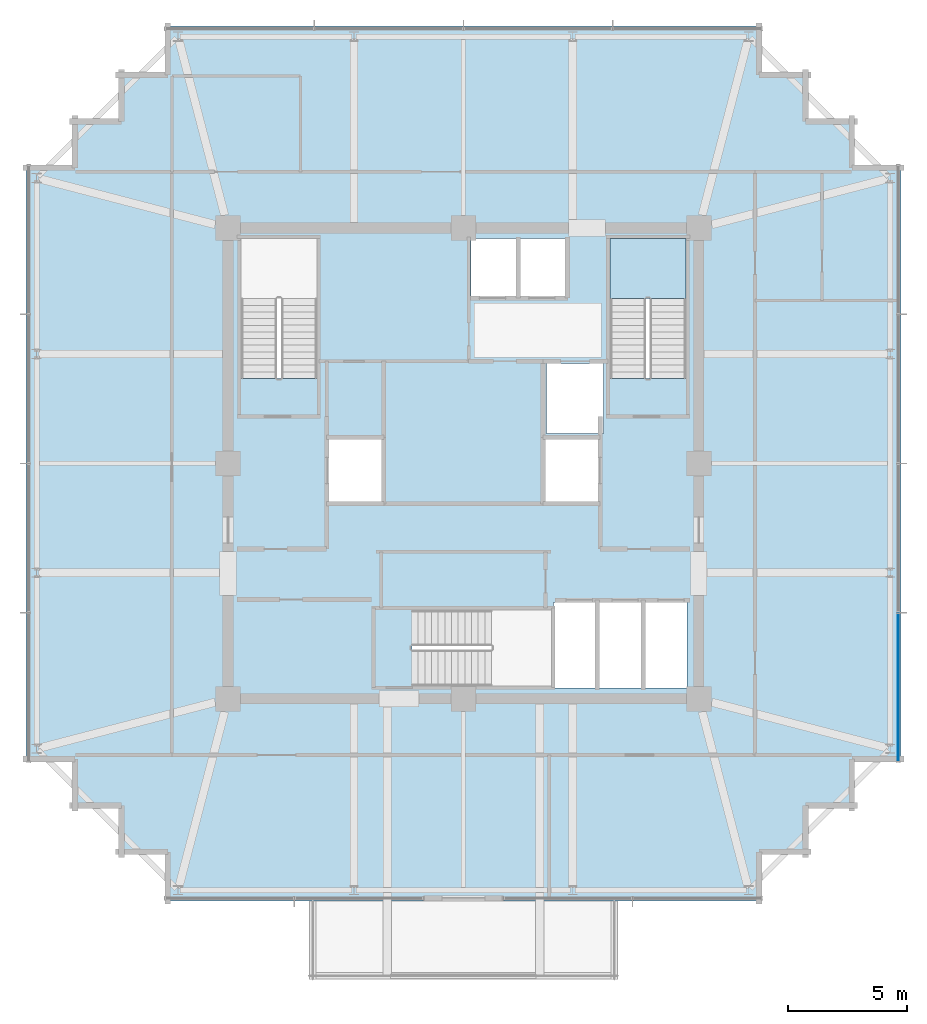
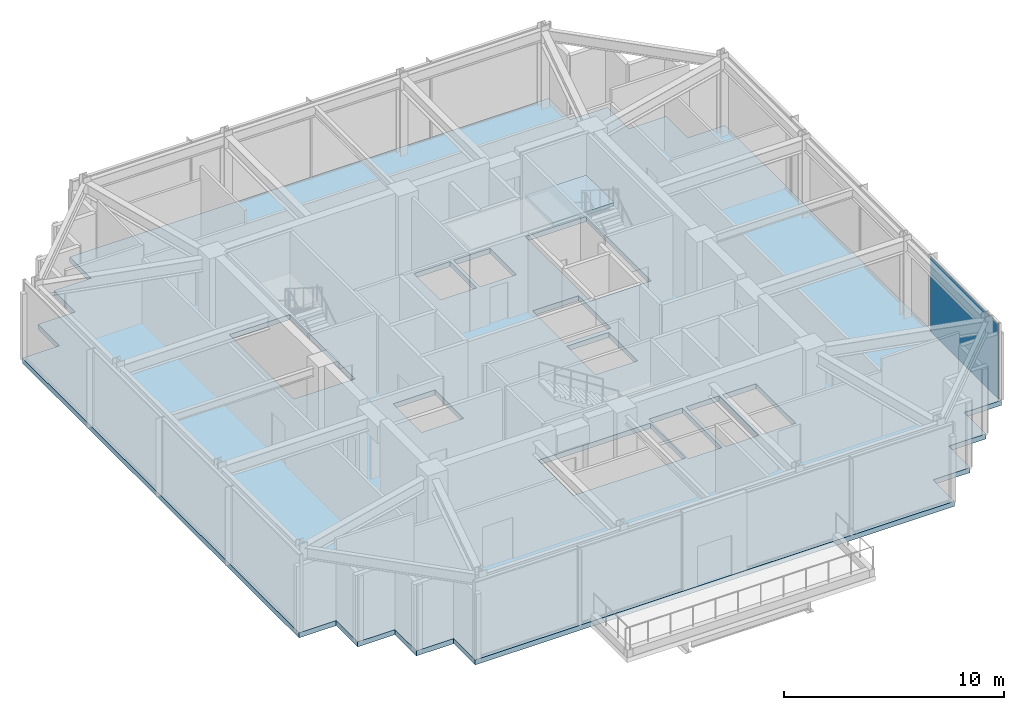
# One storey, part 24 of 30: 2 slabs, 1 plate, 2 elements without a shape of their own.
"""IFC4 building model written with IfcOpenShell, lengths in metres."""

from ifc_helpers import new_model, si_unit, direction, frame, origin, origin_2d, place, context, subcontext, project, spatial, polyline, rectangle, outline, extrude, material, layer, layer_set, type_object, element, aggregate, save


model = new_model("IFC4")

# Units and contexts
model_context = context("Model", 3, precision=1e-05, world=origin(), true_north=direction((0.0, 1.0)))
body_context = subcontext(model_context, "Body", "Model", "MODEL_VIEW")
ifc_project = project(units=[si_unit("LENGTHUNIT", "METRE"), si_unit("AREAUNIT", "SQUARE_METRE"), si_unit("VOLUMEUNIT", "CUBIC_METRE"), si_unit("PLANEANGLEUNIT", "RADIAN"), si_unit("MASSUNIT", "GRAM", prefix="KILO")], contexts=[model_context])

# Site, building, storey
site_placement = place(None, origin())
site = spatial("IfcSite", under=ifc_project, at=site_placement, CompositionType="ELEMENT")
building_placement = place(site_placement, origin())
building = spatial("IfcBuilding", under=site, at=building_placement, Name="Kolvaren Belvedere", CompositionType="ELEMENT")
storey_placement = place(building_placement, frame((0.0, 0.0, 262.800048828125)))
storey = spatial("IfcBuildingStorey", under=building, at=storey_placement, Name="L76", CompositionType="ELEMENT", Elevation=262.800048828125)

# Curtain wall, plate
ifc_material_1 = material(Name="Anodised pale-metal aluminium AA 6063-T6", Category="aluminium")
curtain_wall_type = type_object("IfcCurtainWallType", Name="CW-CRN-OBS", PredefinedType="NOTDEFINED", material=ifc_material_1)
curtain_wall_placement = place(storey_placement, origin())
curtain_wall = element("IfcCurtainWall", 1, at=curtain_wall_placement, inside=storey, type_object=curtain_wall_type, Name="L76 Unitised Curtain Wall FCW-L76-E", PredefinedType="NOTDEFINED")
ifc_material_2 = material(Name="Low-iron laminated vision glass", Category="glass")
ifc_layer_1 = layer(ifc_material_2, 0.031982421875)
ifc_layer_set_1 = layer_set([ifc_layer_1], Name="Low-iron laminated vision glass")
plate_type = type_object("IfcPlateType", Name="CW-PNL-VIS32", PredefinedType="CURTAIN_PANEL", material=ifc_layer_set_1)
plate_placement = place(storey_placement, frame((18.280029296875, -9.41259765625, 0.080078125), z_axis=(0.0, 0.0, 1.0), x_axis=(0.0, -1.0, 0.0)))
plate = element("IfcPlate", 2, at=plate_placement, type_object=plate_type, Name="FCW-L76-E Vision Glazing Panel 4", PredefinedType="CURTAIN_PANEL", context=body_context, shape_type="SweptSolid", body=[
    extrude(rectangle(XDim=6.195068359375, YDim=0.031982421875, at=origin_2d()), origin(), (0.0, 0.0, 1.0), 4.159912109375),
])
aggregate(curtain_wall, [plate])

# Slab
ifc_material_3 = material(Name="Concrete C50/60", Category="concrete")
ifc_layer_2 = layer(ifc_material_3, 0.280029296875)
ifc_layer_set_2 = layer_set([ifc_layer_2], Name="Concrete C50/60")
slab_type_1 = type_object("IfcSlabType", Name="SL-FLR-280", PredefinedType="FLOOR", material=ifc_layer_set_2)
slab_1_placement = place(storey_placement, frame((0.0, 0.0, -0.280029296875)))
element("IfcSlab", 3, at=slab_1_placement, inside=storey, type_object=slab_type_1, Name="L76 Primary Structural Slab", PredefinedType="FLOOR", context=body_context, shape_type="SweptSolid", body=[
    extrude(outline(polyline([(-12.550048828125, -18.39990234375), (12.550048828125, -18.39990234375), (12.550048828125, -16.449951171875), (14.5, -16.449951171875), (14.5, -14.5), (16.449951171875, -14.5), (16.449951171875, -12.550048828125), (18.39990234375, -12.550048828125), (18.39990234375, 12.550048828125), (16.449951171875, 12.550048828125), (16.449951171875, 14.5), (14.5, 14.5), (14.5, 16.449951171875), (12.550048828125, 16.449951171875), (12.550048828125, 18.39990234375), (-12.550048828125, 18.39990234375), (-12.550048828125, 16.449951171875), (-14.5, 16.449951171875), (-14.5, 14.5), (-16.449951171875, 14.5), (-16.449951171875, 12.550048828125), (-18.39990234375, 12.550048828125), (-18.39990234375, -12.550048828125), (-16.449951171875, -12.550048828125), (-16.449951171875, -14.5), (-14.5, -14.5), (-14.5, -16.449951171875), (-12.550048828125, -16.449951171875), (-12.550048828125, -18.39990234375)]), holes=[polyline([(-9.35009765625, 3.580078125), (-6.159912109375, 3.580078125), (-6.159912109375, 9.449951171875), (-9.35009765625, 9.449951171875), (-9.35009765625, 3.580078125)]), polyline([(6.159912109375, 3.580078125), (9.35009765625, 3.580078125), (9.35009765625, 9.449951171875), (6.159912109375, 9.449951171875), (6.159912109375, 3.580078125)]), polyline([(-2.169921875, -9.35009765625), (3.699951171875, -9.35009765625), (3.699951171875, -6.159912109375), (-2.169921875, -6.159912109375), (-2.169921875, -9.35009765625)]), polyline([(-5.64990234375, -1.60009765625), (-3.449951171875, -1.60009765625), (-3.449951171875, 1.0), (-5.64990234375, 1.0), (-5.64990234375, -1.60009765625)]), polyline([(3.5, 1.25), (5.89990234375, 1.25), (5.89990234375, 4.199951171875), (3.5, 4.199951171875), (3.5, 1.25)]), polyline([(3.449951171875, -1.60009765625), (5.64990234375, -1.60009765625), (5.64990234375, 1.0), (3.449951171875, 1.0), (3.449951171875, -1.60009765625)]), polyline([(3.7900390625, -9.449951171875), (5.5400390625, -9.449951171875), (5.5400390625, -5.85009765625), (3.7900390625, -5.85009765625), (3.7900390625, -9.449951171875)]), polyline([(5.719970703125, -9.449951171875), (7.469970703125, -9.449951171875), (7.469970703125, -5.85009765625), (5.719970703125, -5.85009765625), (5.719970703125, -9.449951171875)]), polyline([(7.64990234375, -9.449951171875), (9.39990234375, -9.449951171875), (9.39990234375, -5.85009765625), (7.64990234375, -5.85009765625), (7.64990234375, -9.449951171875)]), polyline([(0.320068359375, 7.050048828125), (2.219970703125, 7.050048828125), (2.219970703125, 9.449951171875), (0.320068359375, 9.449951171875), (0.320068359375, 7.050048828125)]), polyline([(2.39990234375, 7.050048828125), (4.300048828125, 7.050048828125), (4.300048828125, 9.449951171875), (2.39990234375, 9.449951171875), (2.39990234375, 7.050048828125)])]), origin(), (0.0, 0.0, 1.0), 0.280029296875),
])

# Stair, slab
ifc_material_4 = material(Name="Concrete C50/60", Category="concrete")
stair_type = type_object("IfcStairType", Name="ST-CORE-1520", PredefinedType="HALF_TURN_STAIR", material=ifc_material_4)
stair_placement = place(storey_placement, origin())
stair = element("IfcStair", 4, at=stair_placement, inside=storey, type_object=stair_type, Name="L76 Protected Exit Stair ST-2", PredefinedType="HALF_TURN_STAIR")
ifc_material_5 = material(Name="Concrete C50/60", Category="concrete")
ifc_layer_3 = layer(ifc_material_5, 0.260009765625)
ifc_layer_set_3 = layer_set([ifc_layer_3], Name="Concrete C50/60")
slab_type_2 = type_object("IfcSlabType", Name="SL-LAND-260", PredefinedType="LANDING", material=ifc_layer_set_3)
slab_2_placement = place(storey_placement, frame((0.0, 0.0, 2.099853515625)))
slab_2 = element("IfcSlab", 5, at=slab_2_placement, type_object=slab_type_2, Name="ST-2 landing 1", PredefinedType="LANDING", context=body_context, shape_type="SweptSolid", body=[
    extrude(outline(polyline([(9.35009765625, 6.929931640625), (9.35009765625, 9.449951171875), (6.159912109375, 9.449951171875), (6.159912109375, 6.929931640625), (9.35009765625, 6.929931640625)])), origin(), (0.0, 0.0, 1.0), 0.2001953125),
])
aggregate(stair, [slab_2])

save(model, "model.ifc")
